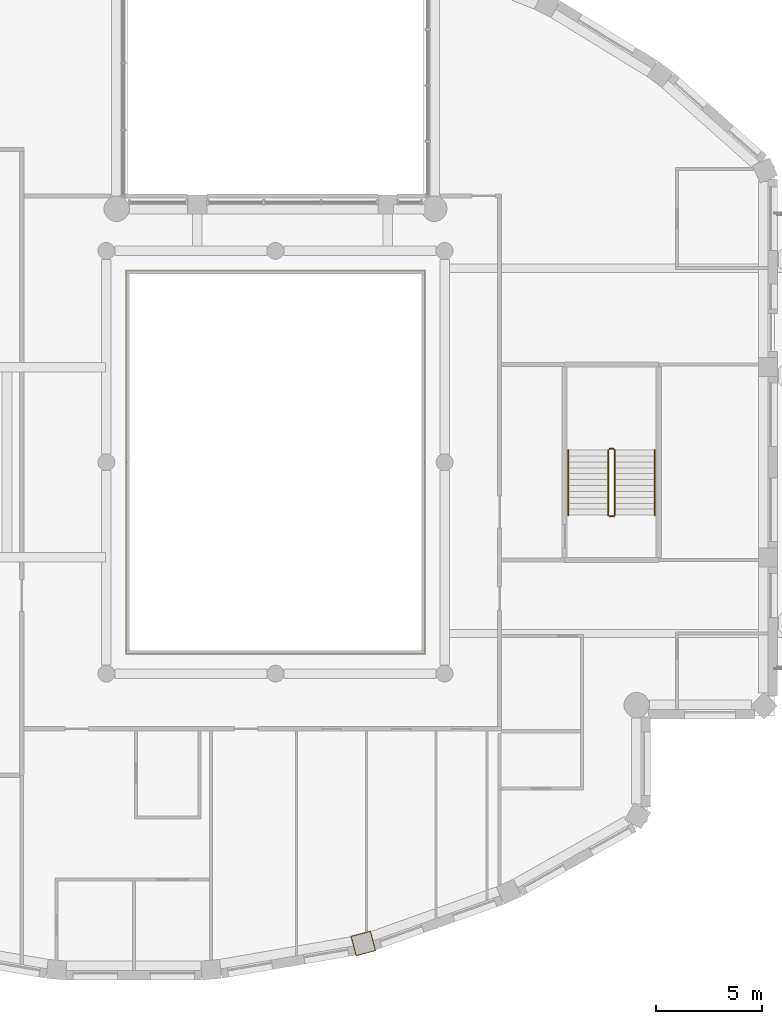
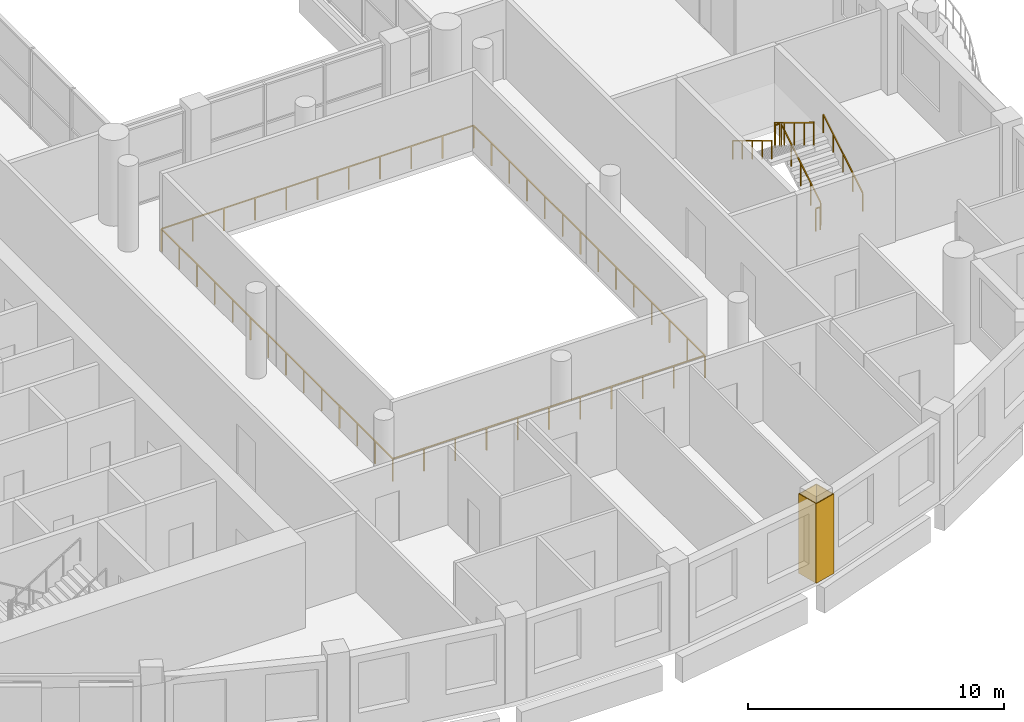
# One storey, part 12 of 15: 7 railings, 1 covering.
"""IFC4 building model written with IfcOpenShell, lengths in metres."""

from ifc_helpers import new_model, si_unit, direction, frame, origin, origin_2d, place, context, subcontext, project, spatial, polyline, rectangle, outline, extrude, material, layer, layer_set, type_object, element, save


model = new_model("IFC4")

# Units and contexts
model_context = context("Model", 3, precision=1e-05, world=origin(), true_north=direction((0.0, 1.0)))
body_context = subcontext(model_context, "Body", "Model", "MODEL_VIEW")
ifc_project = project(units=[si_unit("LENGTHUNIT", "METRE"), si_unit("AREAUNIT", "SQUARE_METRE"), si_unit("VOLUMEUNIT", "CUBIC_METRE"), si_unit("PLANEANGLEUNIT", "RADIAN"), si_unit("MASSUNIT", "GRAM", prefix="KILO")], contexts=[model_context])

# Site, building, storey
site_placement = place(None, origin())
site = spatial("IfcSite", under=ifc_project, at=site_placement, CompositionType="ELEMENT")
building_placement = place(site_placement, origin())
building = spatial("IfcBuilding", under=site, at=building_placement, Name="Cypress Arch Tower", CompositionType="ELEMENT")
storey_placement = place(building_placement, frame((0.0, 0.0, 321.300048828125)))
storey = spatial("IfcBuildingStorey", under=building, at=storey_placement, Name="L73", CompositionType="ELEMENT", Elevation=321.300048828125)

# Railing
ifc_material_1 = material(Name="Stainless steel posts and handrail, laminated glass infill", Category="steel")
railing_type_1 = type_object("IfcRailingType", Name="Atrium guard GR1100A", PredefinedType="GUARDRAIL", material=ifc_material_1)
railing_1_placement = place(storey_placement, frame((8.050048828125, -9.050048828125, 0.0)))
element("IfcRailing", 1, at=railing_1_placement, inside=storey, type_object=railing_type_1, Name="Atrium guard L73", PredefinedType="GUARDRAIL", context=body_context, shape_type="SweptSolid", body=[
    extrude(rectangle(XDim=0.050048828125, YDim=0.050048828125, at=origin_2d()), frame((0.0, 0.0, 1.0751953125), z_axis=(-1.0, 0.0, 0.0), x_axis=(0.0, -1.0, 0.0)), (0.0, 0.0, 1.0), 14.10009765625),
    extrude(rectangle(XDim=0.050048828125, YDim=0.050048828125, at=origin_2d()), frame((-14.10009765625, 0.0, 1.0751953125), z_axis=(0.0, 1.0, 0.0), x_axis=(-1.0, 0.0, 0.0)), (0.0, 0.0, 1.0), 18.10009765625),
    extrude(rectangle(XDim=0.050048828125, YDim=0.050048828125, at=origin_2d()), frame((-14.10009765625, 18.10009765625, 1.0751953125), z_axis=(1.0, 0.0, 0.0), x_axis=(0.0, 1.0, 0.0)), (0.0, 0.0, 1.0), 14.10009765625),
    extrude(rectangle(XDim=0.050048828125, YDim=0.050048828125, at=origin_2d()), frame((0.0, 18.10009765625, 1.0751953125), z_axis=(0.0, -1.0, 0.0), x_axis=(1.0, 0.0, 0.0)), (0.0, 0.0, 1.0), 18.10009765625),
    extrude(rectangle(XDim=0.050048828125, YDim=0.050048828125, at=origin_2d()), origin(), (0.0, 0.0, 1.0), 1.050048828125),
    extrude(rectangle(XDim=0.050048828125, YDim=0.050048828125, at=origin_2d()), frame((-1.409912109375, 0.0, 0.0)), (0.0, 0.0, 1.0), 1.050048828125),
    extrude(rectangle(XDim=0.050048828125, YDim=0.050048828125, at=origin_2d()), frame((-2.820068359375, 0.0, 0.0)), (0.0, 0.0, 1.0), 1.050048828125),
    extrude(rectangle(XDim=0.050048828125, YDim=0.050048828125, at=origin_2d()), frame((-4.22998046875, 0.0, 0.0)), (0.0, 0.0, 1.0), 1.050048828125),
    extrude(rectangle(XDim=0.050048828125, YDim=0.050048828125, at=origin_2d()), frame((-5.64013671875, 0.0, 0.0)), (0.0, 0.0, 1.0), 1.050048828125),
    extrude(rectangle(XDim=0.050048828125, YDim=0.050048828125, at=origin_2d()), frame((-7.050048828125, 0.0, 0.0)), (0.0, 0.0, 1.0), 1.050048828125),
    extrude(rectangle(XDim=0.050048828125, YDim=0.050048828125, at=origin_2d()), frame((-8.4599609375, 0.0, 0.0)), (0.0, 0.0, 1.0), 1.050048828125),
    extrude(rectangle(XDim=0.050048828125, YDim=0.050048828125, at=origin_2d()), frame((-9.8701171875, 0.0, 0.0)), (0.0, 0.0, 1.0), 1.050048828125),
    extrude(rectangle(XDim=0.050048828125, YDim=0.050048828125, at=origin_2d()), frame((-11.280029296875, 0.0, 0.0)), (0.0, 0.0, 1.0), 1.050048828125),
    extrude(rectangle(XDim=0.050048828125, YDim=0.050048828125, at=origin_2d()), frame((-12.690185546875, 0.0, 0.0)), (0.0, 0.0, 1.0), 1.050048828125),
    extrude(rectangle(XDim=0.050048828125, YDim=0.050048828125, at=origin_2d()), frame((-14.10009765625, 0.0, 0.0)), (0.0, 0.0, 1.0), 1.050048828125),
    extrude(rectangle(XDim=0.050048828125, YDim=0.050048828125, at=origin_2d()), frame((-14.10009765625, 1.392333984375, 0.0)), (0.0, 0.0, 1.0), 1.050048828125),
    extrude(rectangle(XDim=0.050048828125, YDim=0.050048828125, at=origin_2d()), frame((-14.10009765625, 2.78466796875, 0.0)), (0.0, 0.0, 1.0), 1.050048828125),
    extrude(rectangle(XDim=0.050048828125, YDim=0.050048828125, at=origin_2d()), frame((-14.10009765625, 4.177001953125, 0.0)), (0.0, 0.0, 1.0), 1.050048828125),
    extrude(rectangle(XDim=0.050048828125, YDim=0.050048828125, at=origin_2d()), frame((-14.10009765625, 5.5693359375, 0.0)), (0.0, 0.0, 1.0), 1.050048828125),
    extrude(rectangle(XDim=0.050048828125, YDim=0.050048828125, at=origin_2d()), frame((-14.10009765625, 6.961669921875, 0.0)), (0.0, 0.0, 1.0), 1.050048828125),
    extrude(rectangle(XDim=0.050048828125, YDim=0.050048828125, at=origin_2d()), frame((-14.10009765625, 8.35400390625, 0.0)), (0.0, 0.0, 1.0), 1.050048828125),
    extrude(rectangle(XDim=0.050048828125, YDim=0.050048828125, at=origin_2d()), frame((-14.10009765625, 9.74609375, 0.0)), (0.0, 0.0, 1.0), 1.050048828125),
    extrude(rectangle(XDim=0.050048828125, YDim=0.050048828125, at=origin_2d()), frame((-14.10009765625, 11.138427734375, 0.0)), (0.0, 0.0, 1.0), 1.050048828125),
    extrude(rectangle(XDim=0.050048828125, YDim=0.050048828125, at=origin_2d()), frame((-14.10009765625, 12.53076171875, 0.0)), (0.0, 0.0, 1.0), 1.050048828125),
    extrude(rectangle(XDim=0.050048828125, YDim=0.050048828125, at=origin_2d()), frame((-14.10009765625, 13.923095703125, 0.0)), (0.0, 0.0, 1.0), 1.050048828125),
    extrude(rectangle(XDim=0.050048828125, YDim=0.050048828125, at=origin_2d()), frame((-14.10009765625, 15.3154296875, 0.0)), (0.0, 0.0, 1.0), 1.050048828125),
    extrude(rectangle(XDim=0.050048828125, YDim=0.050048828125, at=origin_2d()), frame((-14.10009765625, 16.707763671875, 0.0)), (0.0, 0.0, 1.0), 1.050048828125),
    extrude(rectangle(XDim=0.050048828125, YDim=0.050048828125, at=origin_2d()), frame((-14.10009765625, 18.10009765625, 0.0)), (0.0, 0.0, 1.0), 1.050048828125),
    extrude(rectangle(XDim=0.050048828125, YDim=0.050048828125, at=origin_2d()), frame((-12.690185546875, 18.10009765625, 0.0)), (0.0, 0.0, 1.0), 1.050048828125),
    extrude(rectangle(XDim=0.050048828125, YDim=0.050048828125, at=origin_2d()), frame((-11.280029296875, 18.10009765625, 0.0)), (0.0, 0.0, 1.0), 1.050048828125),
    extrude(rectangle(XDim=0.050048828125, YDim=0.050048828125, at=origin_2d()), frame((-9.8701171875, 18.10009765625, 0.0)), (0.0, 0.0, 1.0), 1.050048828125),
    extrude(rectangle(XDim=0.050048828125, YDim=0.050048828125, at=origin_2d()), frame((-8.4599609375, 18.10009765625, 0.0)), (0.0, 0.0, 1.0), 1.050048828125),
    extrude(rectangle(XDim=0.050048828125, YDim=0.050048828125, at=origin_2d()), frame((-7.050048828125, 18.10009765625, 0.0)), (0.0, 0.0, 1.0), 1.050048828125),
    extrude(rectangle(XDim=0.050048828125, YDim=0.050048828125, at=origin_2d()), frame((-5.64013671875, 18.10009765625, 0.0)), (0.0, 0.0, 1.0), 1.050048828125),
    extrude(rectangle(XDim=0.050048828125, YDim=0.050048828125, at=origin_2d()), frame((-4.22998046875, 18.10009765625, 0.0)), (0.0, 0.0, 1.0), 1.050048828125),
    extrude(rectangle(XDim=0.050048828125, YDim=0.050048828125, at=origin_2d()), frame((-2.820068359375, 18.10009765625, 0.0)), (0.0, 0.0, 1.0), 1.050048828125),
    extrude(rectangle(XDim=0.050048828125, YDim=0.050048828125, at=origin_2d()), frame((-1.409912109375, 18.10009765625, 0.0)), (0.0, 0.0, 1.0), 1.050048828125),
    extrude(rectangle(XDim=0.050048828125, YDim=0.050048828125, at=origin_2d()), frame((0.0, 18.10009765625, 0.0)), (0.0, 0.0, 1.0), 1.050048828125),
    extrude(rectangle(XDim=0.050048828125, YDim=0.050048828125, at=origin_2d()), frame((0.0, 16.707763671875, 0.0)), (0.0, 0.0, 1.0), 1.050048828125),
    extrude(rectangle(XDim=0.050048828125, YDim=0.050048828125, at=origin_2d()), frame((0.0, 15.3154296875, 0.0)), (0.0, 0.0, 1.0), 1.050048828125),
    extrude(rectangle(XDim=0.050048828125, YDim=0.050048828125, at=origin_2d()), frame((0.0, 13.923095703125, 0.0)), (0.0, 0.0, 1.0), 1.050048828125),
    extrude(rectangle(XDim=0.050048828125, YDim=0.050048828125, at=origin_2d()), frame((0.0, 12.53076171875, 0.0)), (0.0, 0.0, 1.0), 1.050048828125),
    extrude(rectangle(XDim=0.050048828125, YDim=0.050048828125, at=origin_2d()), frame((0.0, 11.138427734375, 0.0)), (0.0, 0.0, 1.0), 1.050048828125),
    extrude(rectangle(XDim=0.050048828125, YDim=0.050048828125, at=origin_2d()), frame((0.0, 9.74609375, 0.0)), (0.0, 0.0, 1.0), 1.050048828125),
    extrude(rectangle(XDim=0.050048828125, YDim=0.050048828125, at=origin_2d()), frame((0.0, 8.35400390625, 0.0)), (0.0, 0.0, 1.0), 1.050048828125),
    extrude(rectangle(XDim=0.050048828125, YDim=0.050048828125, at=origin_2d()), frame((0.0, 6.961669921875, 0.0)), (0.0, 0.0, 1.0), 1.050048828125),
    extrude(rectangle(XDim=0.050048828125, YDim=0.050048828125, at=origin_2d()), frame((0.0, 5.5693359375, 0.0)), (0.0, 0.0, 1.0), 1.050048828125),
    extrude(rectangle(XDim=0.050048828125, YDim=0.050048828125, at=origin_2d()), frame((0.0, 4.177001953125, 0.0)), (0.0, 0.0, 1.0), 1.050048828125),
    extrude(rectangle(XDim=0.050048828125, YDim=0.050048828125, at=origin_2d()), frame((0.0, 2.78466796875, 0.0)), (0.0, 0.0, 1.0), 1.050048828125),
    extrude(rectangle(XDim=0.050048828125, YDim=0.050048828125, at=origin_2d()), frame((0.0, 1.392333984375, 0.0)), (0.0, 0.0, 1.0), 1.050048828125),
])

# Covering
ifc_material_2 = material(Name="Painted plasterboard column casing")
ifc_layer = layer(ifc_material_2, 0.0400390625)
ifc_layer_set = layer_set([ifc_layer], Name="Column casing CK40")
covering_type = type_object("IfcCoveringType", Name="Column casing CK40", PredefinedType="CLADDING", material=ifc_layer_set)
covering_placement = place(storey_placement, origin())
element("IfcCovering", 2, at=covering_placement, inside=storey, type_object=covering_type, Name="Column casing L73 CC16", PredefinedType="CLADDING", context=body_context, shape_type="SweptSolid", body=[
    extrude(outline(polyline([(4.804443359375, -23.361083984375), (4.55615234375, -22.4130859375), (5.504150390625, -22.164794921875), (5.75244140625, -23.11279296875), (4.804443359375, -23.361083984375)]), holes=[polyline([(4.8330078125, -23.312255859375), (5.70361328125, -23.084228515625), (5.4755859375, -22.213623046875), (4.60498046875, -22.441650390625), (4.8330078125, -23.312255859375)])]), origin(), (0.0, 0.0, 1.0), 3.800048828125),
])

# Railings
ifc_material_3 = material(Name="Black powder-coated steel square bar 48 mm", Category="steel")
railing_type_2 = type_object("IfcRailingType", Name="Stair handrail HR1", PredefinedType="HANDRAIL", material=ifc_material_3)
railing_2_placement = place(storey_placement, frame((18.949951171875, -2.5, 0.1708984375)))
element("IfcRailing", 3, at=railing_2_placement, inside=storey, type_object=railing_type_2, Name="L73 C stair handrail 1", PredefinedType="HANDRAIL", context=body_context, shape_type="SweptSolid", body=[
    extrude(rectangle(XDim=0.048095703125, YDim=0.048095703125, at=origin_2d()), frame((0.0, 0.0, 0.8759765625), z_axis=(0.0, 0.853666305674, 0.52082035152), x_axis=(-1.0, 0.0, 0.0)), (0.0, 0.0, 1.0), 3.608154296875),
    extrude(rectangle(XDim=0.0419921875, YDim=0.0419921875, at=origin_2d()), origin(), (0.0, 0.0, 1.0), 0.851806640625),
    extrude(rectangle(XDim=0.0419921875, YDim=0.0419921875, at=origin_2d()), frame((0.0, 0.77001953125, 0.4697265625)), (0.0, 0.0, 1.0), 0.851806640625),
    extrude(rectangle(XDim=0.0419921875, YDim=0.0419921875, at=origin_2d()), frame((0.0, 1.5400390625, 0.939453125)), (0.0, 0.0, 1.0), 0.851806640625),
    extrude(rectangle(XDim=0.0419921875, YDim=0.0419921875, at=origin_2d()), frame((0.0, 2.31005859375, 1.409423828125)), (0.0, 0.0, 1.0), 0.851806640625),
    extrude(rectangle(XDim=0.0419921875, YDim=0.0419921875, at=origin_2d()), frame((0.0, 3.080078125, 1.879150390625)), (0.0, 0.0, 1.0), 0.851806640625),
])
railing_3_placement = place(storey_placement, frame((14.85009765625, 0.580078125, 2.220703125)))
element("IfcRailing", 4, at=railing_3_placement, inside=storey, type_object=railing_type_2, Name="L73 C stair handrail 2", PredefinedType="HANDRAIL", context=body_context, shape_type="SweptSolid", body=[
    extrude(rectangle(XDim=0.048095703125, YDim=0.048095703125, at=origin_2d()), frame((0.0, 0.0, 0.8759765625), z_axis=(0.0, -0.853666305674, 0.52082035152), x_axis=(1.0, 0.0, 0.0)), (0.0, 0.0, 1.0), 3.608154296875),
    extrude(rectangle(XDim=0.0419921875, YDim=0.0419921875, at=origin_2d()), origin(), (0.0, 0.0, 1.0), 0.851806640625),
    extrude(rectangle(XDim=0.0419921875, YDim=0.0419921875, at=origin_2d()), frame((0.0, -0.77001953125, 0.4697265625)), (0.0, 0.0, 1.0), 0.851806640625),
    extrude(rectangle(XDim=0.0419921875, YDim=0.0419921875, at=origin_2d()), frame((0.0, -1.5400390625, 0.939453125)), (0.0, 0.0, 1.0), 0.851806640625),
    extrude(rectangle(XDim=0.0419921875, YDim=0.0419921875, at=origin_2d()), frame((0.0, -2.31005859375, 1.409423828125)), (0.0, 0.0, 1.0), 0.851806640625),
    extrude(rectangle(XDim=0.0419921875, YDim=0.0419921875, at=origin_2d()), frame((0.0, -3.080078125, 1.879150390625)), (0.0, 0.0, 1.0), 0.851806640625),
])
ifc_material_4 = material(Name="Black powder-coated steel balusters", Category="steel")
railing_type_3 = type_object("IfcRailingType", Name="Stair well guard G1", PredefinedType="GUARDRAIL", material=ifc_material_4)
railing_4_placement = place(storey_placement, frame((17.050048828125, -2.5, 0.1708984375)))
element("IfcRailing", 5, at=railing_4_placement, inside=storey, type_object=railing_type_3, Name="L73 C stair guard 1", PredefinedType="GUARDRAIL", context=body_context, shape_type="SweptSolid", body=[
    extrude(rectangle(XDim=0.048095703125, YDim=0.048095703125, at=origin_2d()), frame((0.0, 0.0, 1.076171875), z_axis=(0.0, 0.853666305674, 0.52082035152), x_axis=(-1.0, 0.0, 0.0)), (0.0, 0.0, 1.0), 3.608154296875),
    extrude(rectangle(XDim=0.0419921875, YDim=0.0419921875, at=origin_2d()), origin(), (0.0, 0.0, 1.0), 1.052001953125),
    extrude(rectangle(XDim=0.0419921875, YDim=0.0419921875, at=origin_2d()), frame((0.0, 0.77001953125, 0.4697265625)), (0.0, 0.0, 1.0), 1.052001953125),
    extrude(rectangle(XDim=0.0419921875, YDim=0.0419921875, at=origin_2d()), frame((0.0, 1.5400390625, 0.939453125)), (0.0, 0.0, 1.0), 1.052001953125),
    extrude(rectangle(XDim=0.0419921875, YDim=0.0419921875, at=origin_2d()), frame((0.0, 2.31005859375, 1.409423828125)), (0.0, 0.0, 1.0), 1.052001953125),
    extrude(rectangle(XDim=0.0419921875, YDim=0.0419921875, at=origin_2d()), frame((0.0, 3.080078125, 1.879150390625)), (0.0, 0.0, 1.0), 1.052001953125),
])
railing_5_placement = place(storey_placement, frame((17.0, 0.6298828125, 2.050048828125)))
element("IfcRailing", 6, at=railing_5_placement, inside=storey, type_object=railing_type_3, Name="L73 C stair guard 2", PredefinedType="GUARDRAIL", context=body_context, shape_type="SweptSolid", body=[
    extrude(rectangle(XDim=0.048095703125, YDim=0.048095703125, at=origin_2d()), frame((0.0, 0.0, 1.076171875), z_axis=(-1.0, 0.0, 0.0), x_axis=(0.0, -1.0, 0.0)), (0.0, 0.0, 1.0), 0.199951171875),
    extrude(rectangle(XDim=0.0419921875, YDim=0.0419921875, at=origin_2d()), origin(), (0.0, 0.0, 1.0), 1.052001953125),
    extrude(rectangle(XDim=0.0419921875, YDim=0.0419921875, at=origin_2d()), frame((-0.199951171875, 0.0, 0.0)), (0.0, 0.0, 1.0), 1.052001953125),
])
railing_6_placement = place(storey_placement, frame((16.75, 0.580078125, 2.220703125)))
element("IfcRailing", 7, at=railing_6_placement, inside=storey, type_object=railing_type_3, Name="L73 C stair guard 3", PredefinedType="GUARDRAIL", context=body_context, shape_type="SweptSolid", body=[
    extrude(rectangle(XDim=0.048095703125, YDim=0.048095703125, at=origin_2d()), frame((0.0, 0.0, 1.076171875), z_axis=(0.0, -0.853666305674, 0.52082035152), x_axis=(1.0, 0.0, 0.0)), (0.0, 0.0, 1.0), 3.608154296875),
    extrude(rectangle(XDim=0.0419921875, YDim=0.0419921875, at=origin_2d()), origin(), (0.0, 0.0, 1.0), 1.052001953125),
    extrude(rectangle(XDim=0.0419921875, YDim=0.0419921875, at=origin_2d()), frame((0.0, -0.77001953125, 0.4697265625)), (0.0, 0.0, 1.0), 1.052001953125),
    extrude(rectangle(XDim=0.0419921875, YDim=0.0419921875, at=origin_2d()), frame((0.0, -1.5400390625, 0.939453125)), (0.0, 0.0, 1.0), 1.052001953125),
    extrude(rectangle(XDim=0.0419921875, YDim=0.0419921875, at=origin_2d()), frame((0.0, -2.31005859375, 1.409423828125)), (0.0, 0.0, 1.0), 1.052001953125),
    extrude(rectangle(XDim=0.0419921875, YDim=0.0419921875, at=origin_2d()), frame((0.0, -3.080078125, 1.879150390625)), (0.0, 0.0, 1.0), 1.052001953125),
])
railing_7_placement = place(storey_placement, frame((17.0, -2.550048828125, 0.0)))
element("IfcRailing", 8, at=railing_7_placement, inside=storey, type_object=railing_type_3, Name="L73 C stair guard 4", PredefinedType="GUARDRAIL", context=body_context, shape_type="SweptSolid", body=[
    extrude(rectangle(XDim=0.048095703125, YDim=0.048095703125, at=origin_2d()), frame((0.0, 0.0, 1.076171875), z_axis=(-1.0, 0.0, 0.0), x_axis=(0.0, -1.0, 0.0)), (0.0, 0.0, 1.0), 0.199951171875),
    extrude(rectangle(XDim=0.0419921875, YDim=0.0419921875, at=origin_2d()), origin(), (0.0, 0.0, 1.0), 1.052001953125),
    extrude(rectangle(XDim=0.0419921875, YDim=0.0419921875, at=origin_2d()), frame((-0.199951171875, 0.0, 0.0)), (0.0, 0.0, 1.0), 1.052001953125),
])

save(model, "model.ifc")
